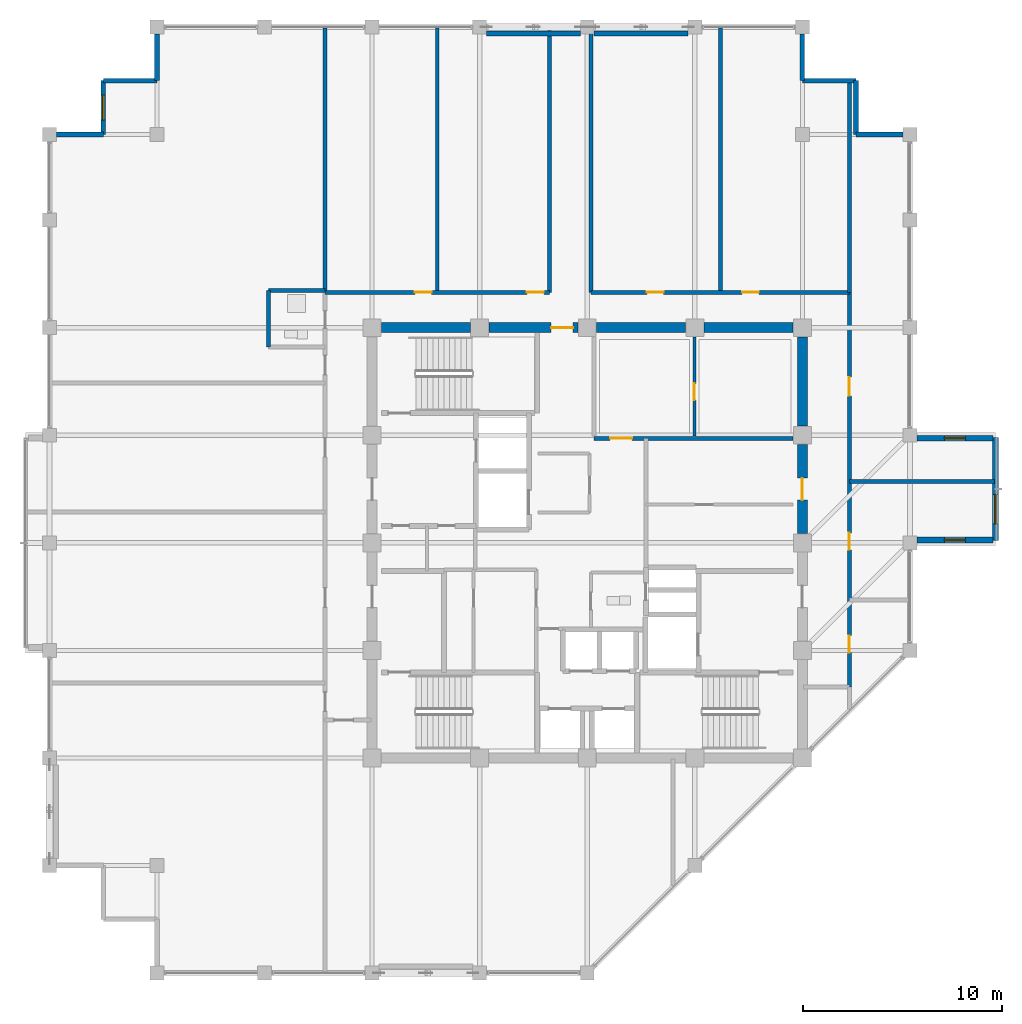
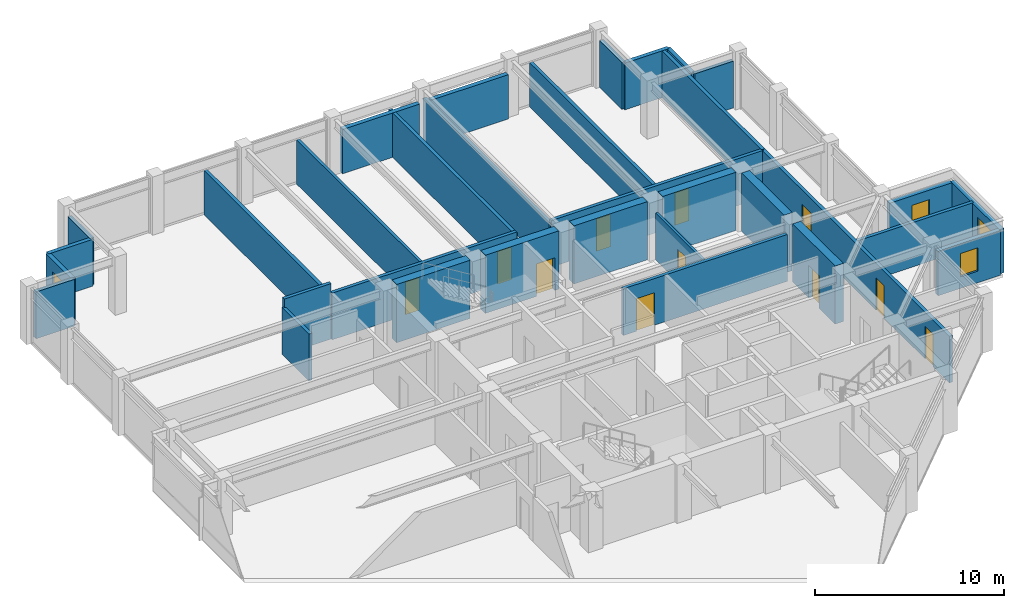
# One storey, part 28 of 32: 33 walls, 11 doors, 4 windows, 15 openings.
"""IFC4 building model written with IfcOpenShell, lengths in metres."""

from ifc_helpers import new_model, si_unit, direction, frame, frame_2d, origin, place, context, subcontext, project, spatial, rectangle, extrude, material, layer, layer_set, type_object, element, fill, save


model = new_model("IFC4")

# Units and contexts
model_context = context("Model", 3, precision=1e-05, world=origin(), true_north=direction((0.0, 1.0)))
body_context = subcontext(model_context, "Body", "Model", "MODEL_VIEW")
ifc_project = project(units=[si_unit("LENGTHUNIT", "METRE"), si_unit("AREAUNIT", "SQUARE_METRE"), si_unit("VOLUMEUNIT", "CUBIC_METRE"), si_unit("PLANEANGLEUNIT", "RADIAN"), si_unit("MASSUNIT", "GRAM", prefix="KILO")], contexts=[model_context])

# Site, building, storey
site_placement = place(None, origin())
site = spatial("IfcSite", under=ifc_project, at=site_placement, CompositionType="ELEMENT")
building_placement = place(site_placement, origin())
building = spatial("IfcBuilding", under=site, at=building_placement, Name="Surkhivell Harbour Commons", CompositionType="ELEMENT")
storey_placement = place(building_placement, frame((0.0, 0.0, 311.25)))
storey = spatial("IfcBuildingStorey", under=building, at=storey_placement, Name="L81", CompositionType="ELEMENT", Elevation=311.25)

# Wall
ifc_material_1 = material(Name="Concrete C50/60", Category="concrete")
ifc_layer_1 = layer(ifc_material_1, 0.5)
ifc_layer_set_1 = layer_set([ifc_layer_1], Name="Concrete C50/60")
wall_type_1 = type_object("IfcWallType", Name="WAL-CORE-500", PredefinedType="SHEAR", material=ifc_layer_set_1)
wall_1_placement = place(storey_placement, frame((-10.340087890625, 10.800048828125, 0.0), z_axis=(0.0, 0.0, 1.0), x_axis=(1.0, 0.0, 0.0)))
element("IfcWall", 1, at=wall_1_placement, inside=storey, type_object=wall_type_1, Name="L81 Core Shear Wall North 1", PredefinedType="SHEAR", context=body_context, shape_type="SweptSolid", body=[
    extrude(rectangle(XDim=4.47998046875, YDim=0.5, at=frame_2d((2.239990234375, 0.0))), origin(), (0.0, 0.0, 1.0), 3.75),
])

# Wall, opening, door
wall_2_placement = place(storey_placement, frame((-4.93994140625, 10.800048828125, 0.0), z_axis=(0.0, 0.0, 1.0), x_axis=(1.0, 0.0, 0.0)))
wall_2 = element("IfcWall", 2, at=wall_2_placement, inside=storey, type_object=wall_type_1, Name="L81 Core Shear Wall North 2", PredefinedType="SHEAR", context=body_context, shape_type="SweptSolid", body=[
    extrude(rectangle(XDim=4.47998046875, YDim=0.5, at=frame_2d((2.239990234375, 0.0))), origin(), (0.0, 0.0, 1.0), 3.75),
])
opening_1_placement = place(wall_2_placement, frame((3.1298828125, 0.0, 0.0)))
opening_1 = element("IfcOpeningElement", 3, at=opening_1_placement, cuts=wall_2, Name="Opening ID-2", PredefinedType="OPENING", context=body_context, shape_type="SweptSolid", body=[
    extrude(rectangle(XDim=1.10009765625, YDim=2.10009765625, at=frame_2d((0.550048828125, 1.050048828125))), frame((0.0, 0.260009765625, 0.0), z_axis=(0.0, -1.0, 0.0), x_axis=(1.0, 0.0, 0.0)), (0.0, 0.0, 1.0), 0.52001953125),
])
ifc_material_2 = material(Name="Hardwood-veneered fire-rated door leaf", Category="wood")
door_type_1 = type_object("IfcDoorType", Name="DOR-FD60-1100", OperationType="NOTDEFINED", PredefinedType="DOOR", material=ifc_material_2)
door_1_placement = place(opening_1_placement, origin())
door_1 = element("IfcDoor", 4, at=door_1_placement, inside=storey, type_object=door_type_1, Name="L81 Central Core Lift Hall North Corridor Door", OperationType="SINGLE_SWING_LEFT", OverallHeight=2.10009765625, OverallWidth=1.10009765625, PredefinedType="DOOR", context=body_context, shape_type="SweptSolid", body=[
    extrude(rectangle(XDim=1.10009765625, YDim=2.10009765625, at=frame_2d((0.550048828125, 1.050048828125))), frame((0.0, 0.02490234375, 0.0), z_axis=(0.0, -1.0, 0.0), x_axis=(1.0, 0.0, 0.0)), (0.0, 0.0, 1.0), 0.050048828125),
])
fill(opening_1, door_1)

# Wall
wall_3_placement = place(storey_placement, frame((0.4599609375, 10.800048828125, 0.0), z_axis=(0.0, 0.0, 1.0), x_axis=(1.0, 0.0, 0.0)))
element("IfcWall", 5, at=wall_3_placement, inside=storey, type_object=wall_type_1, Name="L81 Core Shear Wall North 3", PredefinedType="SHEAR", context=body_context, shape_type="SweptSolid", body=[
    extrude(rectangle(XDim=4.47998046875, YDim=0.5, at=frame_2d((2.239990234375, 0.0))), origin(), (0.0, 0.0, 1.0), 3.75),
])

# Wall, opening, door
wall_4_placement = place(storey_placement, frame((10.800048828125, 0.4599609375, 0.0), z_axis=(0.0, 0.0, 1.0), x_axis=(0.0, 1.0, 0.0)))
wall_4 = element("IfcWall", 6, at=wall_4_placement, inside=storey, type_object=wall_type_1, Name="L81 Core Shear Wall East 3", PredefinedType="SHEAR", context=body_context, shape_type="SweptSolid", body=[
    extrude(rectangle(XDim=4.47998046875, YDim=0.5, at=frame_2d((2.239990234375, 0.0))), origin(), (0.0, 0.0, 1.0), 3.75),
])
opening_2_placement = place(wall_4_placement, frame((1.68994140625, 0.0, 0.0)))
opening_2 = element("IfcOpeningElement", 7, at=opening_2_placement, cuts=wall_4, Name="Opening ID-2", PredefinedType="OPENING", context=body_context, shape_type="SweptSolid", body=[
    extrude(rectangle(XDim=1.10009765625, YDim=2.10009765625, at=frame_2d((0.550048828125, 1.050048828125))), frame((0.0, 0.260009765625, 0.0), z_axis=(0.0, -1.0, 0.0), x_axis=(1.0, 0.0, 0.0)), (0.0, 0.0, 1.0), 0.52001953125),
])
door_2_placement = place(opening_2_placement, origin())
door_2 = element("IfcDoor", 8, at=door_2_placement, inside=storey, type_object=door_type_1, Name="L81 Media Lounge East Door", OperationType="SINGLE_SWING_RIGHT", OverallHeight=2.10009765625, OverallWidth=1.10009765625, PredefinedType="DOOR", context=body_context, shape_type="SweptSolid", body=[
    extrude(rectangle(XDim=1.10009765625, YDim=2.10009765625, at=frame_2d((0.550048828125, 1.050048828125))), frame((0.0, 0.02490234375, 0.0), z_axis=(0.0, -1.0, 0.0), x_axis=(1.0, 0.0, 0.0)), (0.0, 0.0, 1.0), 0.050048828125),
])
fill(opening_2, door_2)

# Walls
for number, where, z_axis, x_axis, name in (
    (9, (5.860107421875, 10.800048828125, 0.0), (0.0, 0.0, 1.0), (1.0, 0.0, 0.0), "L81 Core Shear Wall North 4"),
    (10, (10.800048828125, 5.860107421875, 0.0), (0.0, 0.0, 1.0), (0.0, 1.0, 0.0), "L81 Core Shear Wall East 4"),
):
    element("IfcWall", number, at=place(storey_placement, frame(where, z_axis=z_axis, x_axis=x_axis)), inside=storey, type_object=wall_type_1, Name=name, PredefinedType="SHEAR", context=body_context, shape_type="SweptSolid", body=[
        extrude(rectangle(XDim=4.47998046875, YDim=0.5, at=frame_2d((2.239990234375, 0.0))), origin(), (0.0, 0.0, 1.0), 3.75),
    ])
ifc_material_3 = material(Name="Pale-metal insulated precast concrete C45/55", Category="concrete")
ifc_layer_2 = layer(ifc_material_3, 0.260009765625)
ifc_layer_set_2 = layer_set([ifc_layer_2], Name="Pale-metal insulated precast concrete C45/55")
wall_type_2 = type_object("IfcWallType", Name="WAL-EXT-MTL260", PredefinedType="STANDARD", material=ifc_layer_set_2)
for number, where, z_axis, x_axis, name in (
    (11, (-0.347900390625, 25.56494140625, 0.0), (0.0, 0.0, 1.0), (-1.0, 0.0, 0.0), "L81 Braced-Bay Insulated Spandrel Backing N"),
    (12, (5.052001953125, 25.56494140625, 0.0), (0.0, 0.0, 1.0), (-1.0, 0.0, 0.0), "L81 Braced-Bay Insulated Spandrel Backing N2"),
):
    element("IfcWall", number, at=place(storey_placement, frame(where, z_axis=z_axis, x_axis=x_axis)), inside=storey, type_object=wall_type_2, Name=name, PredefinedType="STANDARD", context=body_context, shape_type="SweptSolid", body=[
        extrude(rectangle(XDim=4.7041015625, YDim=0.260009765625, at=frame_2d((2.35205078125, 0.0))), origin(), (0.0, 0.0, 1.0), 2.85693359375),
    ])
ifc_material_4 = material(Name="Bronze-ochre cassette precast concrete C45/55", Category="concrete")
ifc_layer_3 = layer(ifc_material_4, 0.239990234375)
ifc_layer_set_3 = layer_set([ifc_layer_3], Name="Bronze-ochre cassette precast concrete C45/55")
wall_type_3 = type_object("IfcWallType", Name="WAL-EXT-OCH240", PredefinedType="STANDARD", material=ifc_layer_set_3)
wall_5_placement = place(storey_placement, frame((15.85205078125, 20.5, 0.0), z_axis=(0.0, 0.0, 1.0), x_axis=(-1.0, 0.0, 0.0)))
element("IfcWall", 13, at=wall_5_placement, inside=storey, type_object=wall_type_3, Name="L81 Serrated Corner Facade Wall 03", PredefinedType="STANDARD", context=body_context, shape_type="SweptSolid", body=[
    extrude(rectangle(XDim=2.35205078125, YDim=0.239990234375, at=frame_2d((1.176025390625, 0.0))), origin(), (0.0, 0.0, 1.0), 3.012939453125),
])
for number, where, z_axis, x_axis, name in (
    (14, (13.5, 20.5, 0.0), (0.0, 0.0, 1.0), (0.0, 1.0, 0.0), "L81 Serrated Corner Facade Wall 04"),
    (15, (13.5, 23.199951171875, 0.0), (0.0, 0.0, 1.0), (-1.0, 0.0, 0.0), "L81 Serrated Corner Facade Wall 05"),
):
    element("IfcWall", number, at=place(storey_placement, frame(where, z_axis=z_axis, x_axis=x_axis)), inside=storey, type_object=wall_type_3, Name=name, PredefinedType="STANDARD", context=body_context, shape_type="SweptSolid", body=[
        extrude(rectangle(XDim=2.699951171875, YDim=0.239990234375, at=frame_2d((1.35009765625, 0.0))), origin(), (0.0, 0.0, 1.0), 3.012939453125),
    ])
for number, where, z_axis, x_axis, name in (
    (16, (10.800048828125, 23.199951171875, 0.0), (0.0, 0.0, 1.0), (0.0, 1.0, 0.0), "L81 Serrated Corner Facade Wall 06"),
    (17, (-21.60009765625, 25.552001953125, 0.0), (0.0, 0.0, 1.0), (0.0, -1.0, 0.0), "L81 Serrated Corner Facade Wall 08"),
):
    element("IfcWall", number, at=place(storey_placement, frame(where, z_axis=z_axis, x_axis=x_axis)), inside=storey, type_object=wall_type_3, Name=name, PredefinedType="STANDARD", context=body_context, shape_type="SweptSolid", body=[
        extrude(rectangle(XDim=2.35205078125, YDim=0.239990234375, at=frame_2d((1.176025390625, 0.0))), origin(), (0.0, 0.0, 1.0), 3.012939453125),
    ])
wall_6_placement = place(storey_placement, frame((-21.60009765625, 23.199951171875, 0.0), z_axis=(0.0, 0.0, 1.0), x_axis=(-1.0, 0.0, 0.0)))
element("IfcWall", 18, at=wall_6_placement, inside=storey, type_object=wall_type_3, Name="L81 Serrated Corner Facade Wall 09", PredefinedType="STANDARD", context=body_context, shape_type="SweptSolid", body=[
    extrude(rectangle(XDim=2.699951171875, YDim=0.239990234375, at=frame_2d((1.35009765625, 0.0))), origin(), (0.0, 0.0, 1.0), 3.012939453125),
])

# Wall, opening, window
wall_7_placement = place(storey_placement, frame((-24.300048828125, 23.199951171875, 0.0), z_axis=(0.0, 0.0, 1.0), x_axis=(0.0, -1.0, 0.0)))
wall_7 = element("IfcWall", 19, at=wall_7_placement, inside=storey, type_object=wall_type_3, Name="L81 Serrated Corner Facade Wall 10", PredefinedType="STANDARD", context=body_context, shape_type="SweptSolid", body=[
    extrude(rectangle(XDim=2.699951171875, YDim=0.239990234375, at=frame_2d((1.35009765625, 0.0))), origin(), (0.0, 0.0, 1.0), 3.012939453125),
])
opening_3_placement = place(wall_7_placement, frame((0.72509765625, 0.0, 0.64990234375)))
opening_3 = element("IfcOpeningElement", 20, at=opening_3_placement, cuts=wall_7, Name="Opening WN-09", PredefinedType="OPENING", context=body_context, shape_type="SweptSolid", body=[
    extrude(rectangle(XDim=1.25, YDim=1.60009765625, at=frame_2d((0.625, 0.800048828125))), frame((0.0, 0.1298828125, 0.0), z_axis=(0.0, -1.0, 0.0), x_axis=(1.0, 0.0, 0.0)), (0.0, 0.0, 1.0), 0.260009765625),
])
ifc_material_5 = material(Name="Thermal-break aluminium frame and double low-E glazing", Category="aluminium")
window_type_1 = type_object("IfcWindowType", Name="WIN-SER-1250x1600", PartitioningType="SINGLE_PANEL", PredefinedType="WINDOW", material=ifc_material_5)
window_1_placement = place(opening_3_placement, origin())
window_1 = element("IfcWindow", 21, at=window_1_placement, inside=storey, type_object=window_type_1, Name="L81 Serrated Alcove Window 10", OverallHeight=1.60009765625, OverallWidth=1.25, PartitioningType="SINGLE_PANEL", PredefinedType="WINDOW", context=body_context, shape_type="SweptSolid", body=[
    extrude(rectangle(XDim=1.25, YDim=1.60009765625, at=frame_2d((0.625, 0.800048828125))), frame((0.0, 0.030029296875, 0.0), z_axis=(0.0, -1.0, 0.0), x_axis=(1.0, 0.0, 0.0)), (0.0, 0.0, 1.0), 0.06005859375),
])
fill(opening_3, window_1)

# Wall
wall_8_placement = place(storey_placement, frame((-24.300048828125, 20.5, 0.0), z_axis=(0.0, 0.0, 1.0), x_axis=(-1.0, 0.0, 0.0)))
element("IfcWall", 22, at=wall_8_placement, inside=storey, type_object=wall_type_3, Name="L81 Serrated Corner Facade Wall 11", PredefinedType="STANDARD", context=body_context, shape_type="SweptSolid", body=[
    extrude(rectangle(XDim=2.35205078125, YDim=0.239990234375, at=frame_2d((1.176025390625, 0.0))), origin(), (0.0, 0.0, 1.0), 3.012939453125),
])

# Wall, opening, window
ifc_material_6 = material(Name="Terracotta-clad reinforced concrete C45/55", Category="masonry")
ifc_layer_4 = layer(ifc_material_6, 0.280029296875)
ifc_layer_set_4 = layer_set([ifc_layer_4], Name="Terracotta-clad reinforced concrete C45/55")
wall_type_4 = type_object("IfcWallType", Name="WAL-EXT-TER280", PredefinedType="STANDARD", material=ifc_layer_set_4)
wall_9_placement = place(storey_placement, frame((20.5, 0.1201171875, 0.0), z_axis=(0.0, 0.0, 1.0), x_axis=(0.0, 1.0, 0.0)))
wall_9 = element("IfcWall", 23, at=wall_9_placement, inside=storey, type_object=wall_type_4, Name="L81 Coloured Box Front Wall 01", PredefinedType="STANDARD", context=body_context, shape_type="SweptSolid", body=[
    extrude(rectangle(XDim=5.159912109375, YDim=0.280029296875, at=frame_2d((2.580078125, 0.0))), origin(), (0.0, 0.0, 1.0), 2.85693359375),
])
opening_4_placement = place(wall_9_placement, frame((0.81494140625, 0.0, 0.75)))
opening_4 = element("IfcOpeningElement", 24, at=opening_4_placement, cuts=wall_9, Name="Opening WN-13", PredefinedType="OPENING", context=body_context, shape_type="SweptSolid", body=[
    extrude(rectangle(XDim=1.5, YDim=1.5, at=frame_2d((0.75, 0.75))), frame((0.0, 0.14990234375, 0.0), z_axis=(0.0, -1.0, 0.0), x_axis=(1.0, 0.0, 0.0)), (0.0, 0.0, 1.0), 0.300048828125),
])
window_type_2 = type_object("IfcWindowType", Name="WIN-BOX-1500x1500", PartitioningType="SINGLE_PANEL", PredefinedType="WINDOW", material=ifc_material_5)
window_2_placement = place(opening_4_placement, origin())
window_2 = element("IfcWindow", 25, at=window_2_placement, inside=storey, type_object=window_type_2, Name="L81 Coloured Box Square Window 01-1", OverallHeight=1.5, OverallWidth=1.5, PartitioningType="SINGLE_PANEL", PredefinedType="WINDOW", context=body_context, shape_type="SweptSolid", body=[
    extrude(rectangle(XDim=1.5, YDim=1.5, at=frame_2d((0.75, 0.75))), frame((0.0, 0.030029296875, 0.0), z_axis=(0.0, -1.0, 0.0), x_axis=(1.0, 0.0, 0.0)), (0.0, 0.0, 1.0), 0.06005859375),
])
fill(opening_4, window_2)

wall_10_placement = place(storey_placement, frame((16.553955078125, 0.139892578125, 0.0), z_axis=(0.0, 0.0, 1.0), x_axis=(1.0, 0.0, 0.0)))
wall_10 = element("IfcWall", 26, at=wall_10_placement, inside=storey, type_object=wall_type_4, Name="L81 Coloured Box Return Wall 01S", PredefinedType="STANDARD", context=body_context, shape_type="SweptSolid", body=[
    extrude(rectangle(XDim=3.80615234375, YDim=0.280029296875, at=frame_2d((1.903076171875, 0.0))), origin(), (0.0, 0.0, 1.0), 2.85693359375),
])
opening_5_placement = place(wall_10_placement, frame((1.3779296875, 0.0, 0.75)))
opening_5 = element("IfcOpeningElement", 27, at=opening_5_placement, cuts=wall_10, Name="Opening WN-11", PredefinedType="OPENING", context=body_context, shape_type="SweptSolid", body=[
    extrude(rectangle(XDim=1.050048828125, YDim=1.5, at=frame_2d((0.52490234375, 0.75))), frame((0.0, 0.14990234375, 0.0), z_axis=(0.0, -1.0, 0.0), x_axis=(1.0, 0.0, 0.0)), (0.0, 0.0, 1.0), 0.300048828125),
])
window_type_3 = type_object("IfcWindowType", Name="WIN-SER-1050x1500", PartitioningType="SINGLE_PANEL", PredefinedType="WINDOW", material=ifc_material_5)
window_3_placement = place(opening_5_placement, origin())
window_3 = element("IfcWindow", 28, at=window_3_placement, inside=storey, type_object=window_type_3, Name="L81 Coloured Box Return Window 01S", OverallHeight=1.5, OverallWidth=1.050048828125, PartitioningType="SINGLE_PANEL", PredefinedType="WINDOW", context=body_context, shape_type="SweptSolid", body=[
    extrude(rectangle(XDim=1.050048828125, YDim=1.5, at=frame_2d((0.52490234375, 0.75))), frame((0.0, 0.030029296875, 0.0), z_axis=(0.0, -1.0, 0.0), x_axis=(1.0, 0.0, 0.0)), (0.0, 0.0, 1.0), 0.06005859375),
])
fill(opening_5, window_3)

wall_11_placement = place(storey_placement, frame((16.553955078125, 5.260009765625, 0.0), z_axis=(0.0, 0.0, 1.0), x_axis=(1.0, 0.0, 0.0)))
wall_11 = element("IfcWall", 29, at=wall_11_placement, inside=storey, type_object=wall_type_4, Name="L81 Coloured Box Return Wall 01N", PredefinedType="STANDARD", context=body_context, shape_type="SweptSolid", body=[
    extrude(rectangle(XDim=3.80615234375, YDim=0.280029296875, at=frame_2d((1.903076171875, 0.0))), origin(), (0.0, 0.0, 1.0), 2.85693359375),
])
opening_6_placement = place(wall_11_placement, frame((1.3779296875, 0.0, 0.75)))
opening_6 = element("IfcOpeningElement", 30, at=opening_6_placement, cuts=wall_11, Name="Opening WN-11", PredefinedType="OPENING", context=body_context, shape_type="SweptSolid", body=[
    extrude(rectangle(XDim=1.050048828125, YDim=1.5, at=frame_2d((0.52490234375, 0.75))), frame((0.0, 0.14990234375, 0.0), z_axis=(0.0, -1.0, 0.0), x_axis=(1.0, 0.0, 0.0)), (0.0, 0.0, 1.0), 0.300048828125),
])
window_4_placement = place(opening_6_placement, origin())
window_4 = element("IfcWindow", 31, at=window_4_placement, inside=storey, type_object=window_type_3, Name="L81 Coloured Box Return Window 01N", OverallHeight=1.5, OverallWidth=1.050048828125, PartitioningType="SINGLE_PANEL", PredefinedType="WINDOW", context=body_context, shape_type="SweptSolid", body=[
    extrude(rectangle(XDim=1.050048828125, YDim=1.5, at=frame_2d((0.52490234375, 0.75))), frame((0.0, 0.030029296875, 0.0), z_axis=(0.0, -1.0, 0.0), x_axis=(1.0, 0.0, 0.0)), (0.0, 0.0, 1.0), 0.06005859375),
])
fill(opening_6, window_4)

# Wall, opening, door
ifc_material_7 = material(Name="Twin-stud acoustic fireboard partition", Category="other")
ifc_layer_5 = layer(ifc_material_7, 0.14990234375)
ifc_layer_set_5 = layer_set([ifc_layer_5], Name="Twin-stud acoustic fireboard partition")
wall_type_5 = type_object("IfcWallType", Name="WAL-INT-150", PredefinedType="PARTITIONING", material=ifc_layer_set_5)
wall_12_placement = place(storey_placement, frame((5.3798828125, 5.360107421875, 0.0), z_axis=(0.0, 0.0, 1.0), x_axis=(0.0, 1.0, 0.0)))
wall_12 = element("IfcWall", 32, at=wall_12_placement, inside=storey, type_object=wall_type_5, Name="L81 Core Library Divider", PredefinedType="PARTITIONING", context=body_context, shape_type="SweptSolid", body=[
    extrude(rectangle(XDim=4.97998046875, YDim=0.14990234375, at=frame_2d((2.489990234375, 0.0))), origin(), (0.0, 0.0, 1.0), 3.012939453125),
])
opening_7_placement = place(wall_12_placement, frame((1.800048828125, 0.0, 0.0)))
opening_7 = element("IfcOpeningElement", 33, at=opening_7_placement, cuts=wall_12, Name="Opening ID-6", PredefinedType="OPENING", context=body_context, shape_type="SweptSolid", body=[
    extrude(rectangle(XDim=0.85009765625, YDim=2.10009765625, at=frame_2d((0.425048828125, 1.050048828125))), frame((0.0, 0.0849609375, 0.0), z_axis=(0.0, -1.0, 0.0), x_axis=(1.0, 0.0, 0.0)), (0.0, 0.0, 1.0), 0.169921875),
])
door_type_2 = type_object("IfcDoorType", Name="DOR-FD30-850", OperationType="NOTDEFINED", PredefinedType="DOOR", material=ifc_material_2)
door_3_placement = place(opening_7_placement, origin())
door_3 = element("IfcDoor", 34, at=door_3_placement, inside=storey, type_object=door_type_2, Name="L81 Core Reading Door", OperationType="SINGLE_SWING_RIGHT", OverallHeight=2.10009765625, OverallWidth=0.85009765625, PredefinedType="DOOR", context=body_context, shape_type="SweptSolid", body=[
    extrude(rectangle(XDim=0.85009765625, YDim=2.10009765625, at=frame_2d((0.425048828125, 1.050048828125))), frame((0.0, 0.02490234375, 0.0), z_axis=(0.0, -1.0, 0.0), x_axis=(1.0, 0.0, 0.0)), (0.0, 0.0, 1.0), 0.050048828125),
])
fill(opening_7, door_3)

# Wall
ifc_material_8 = material(Name="High-density acoustic blockwork fire partition", Category="masonry")
ifc_layer_6 = layer(ifc_material_8, 0.175048828125)
ifc_layer_set_6 = layer_set([ifc_layer_6], Name="High-density acoustic blockwork fire partition")
wall_type_6 = type_object("IfcWallType", Name="WAL-INT-175", PredefinedType="PARTITIONING", material=ifc_layer_set_6)
wall_13_placement = place(storey_placement, frame((-7.530029296875, 12.580078125, 0.0), z_axis=(0.0, 0.0, 1.0), x_axis=(0.0, 1.0, 0.0)))
element("IfcWall", 35, at=wall_13_placement, inside=storey, type_object=wall_type_6, Name="L81 North-West Partition P1", PredefinedType="PARTITIONING", context=body_context, shape_type="SweptSolid", body=[
    extrude(rectangle(XDim=13.260009765625, YDim=0.175048828125, at=frame_2d((6.6298828125, 0.0))), origin(), (0.0, 0.0, 1.0), 2.85693359375),
])

# Wall, opening, door
ifc_material_9 = material(Name="Autoclaved aerated concrete blockwork and fire plaster", Category="masonry")
ifc_layer_7 = layer(ifc_material_9, 0.199951171875)
ifc_layer_set_7 = layer_set([ifc_layer_7], Name="Autoclaved aerated concrete blockwork and fire plaster")
wall_type_7 = type_object("IfcWallType", Name="WAL-INT-200", PredefinedType="PARTITIONING", material=ifc_layer_set_7)
wall_14_placement = place(storey_placement, frame((0.35009765625, 5.239990234375, 0.0), z_axis=(0.0, 0.0, 1.0), x_axis=(1.0, 0.0, 0.0)))
wall_14 = element("IfcWall", 36, at=wall_14_placement, inside=storey, type_object=wall_type_7, Name="L81 Reclaimed Core North Bay South Wall", PredefinedType="PARTITIONING", context=body_context, shape_type="SweptSolid", body=[
    extrude(rectangle(XDim=9.989990234375, YDim=0.199951171875, at=frame_2d((4.9951171875, 0.0))), origin(), (0.0, 0.0, 1.0), 3.012939453125),
])
opening_8_placement = place(wall_14_placement, frame((0.800048828125, 0.0, 0.0)))
opening_8 = element("IfcOpeningElement", 37, at=opening_8_placement, cuts=wall_14, Name="Opening ID-2", PredefinedType="OPENING", context=body_context, shape_type="SweptSolid", body=[
    extrude(rectangle(XDim=1.10009765625, YDim=2.10009765625, at=frame_2d((0.550048828125, 1.050048828125))), frame((0.0, 0.10986328125, 0.0), z_axis=(0.0, -1.0, 0.0), x_axis=(1.0, 0.0, 0.0)), (0.0, 0.0, 1.0), 0.219970703125),
])
door_4_placement = place(opening_8_placement, origin())
door_4 = element("IfcDoor", 38, at=door_4_placement, inside=storey, type_object=door_type_1, Name="L81 Core Study Door", OperationType="SINGLE_SWING_LEFT", OverallHeight=2.10009765625, OverallWidth=1.10009765625, PredefinedType="DOOR", context=body_context, shape_type="SweptSolid", body=[
    extrude(rectangle(XDim=1.10009765625, YDim=2.10009765625, at=frame_2d((0.550048828125, 1.050048828125))), frame((0.0, 0.02490234375, 0.0), z_axis=(0.0, -1.0, 0.0), x_axis=(1.0, 0.0, 0.0)), (0.0, 0.0, 1.0), 0.050048828125),
])
fill(opening_8, door_4)

# Walls
wall_15_placement = place(storey_placement, frame((13.159912109375, 12.580078125, 0.0), z_axis=(0.0, 0.0, 1.0), x_axis=(0.0, 1.0, 0.0)))
element("IfcWall", 39, at=wall_15_placement, inside=storey, type_object=wall_type_7, Name="L81 North-East Corner Wall", PredefinedType="PARTITIONING", context=body_context, shape_type="SweptSolid", body=[
    extrude(rectangle(XDim=10.559814453125, YDim=0.199951171875, at=frame_2d((5.27978515625, 0.0))), origin(), (0.0, 0.0, 1.0), 3.012939453125),
])
wall_16_placement = place(storey_placement, frame((-13.159912109375, 12.580078125, 0.0), z_axis=(0.0, 0.0, 1.0), x_axis=(0.0, 1.0, 0.0)))
element("IfcWall", 40, at=wall_16_placement, inside=storey, type_object=wall_type_7, Name="L81 North-West Corner Wall", PredefinedType="PARTITIONING", context=body_context, shape_type="SweptSolid", body=[
    extrude(rectangle(XDim=13.260009765625, YDim=0.199951171875, at=frame_2d((6.6298828125, 0.0))), origin(), (0.0, 0.0, 1.0), 2.85693359375),
])

# Wall, openings, doors
wall_17_placement = place(storey_placement, frame((13.159912109375, -7.239990234375, 0.0), z_axis=(0.0, 0.0, 1.0), x_axis=(0.0, 1.0, 0.0)))
wall_17 = element("IfcWall", 41, at=wall_17_placement, inside=storey, type_object=wall_type_7, Name="L81 East Corridor Wall", PredefinedType="PARTITIONING", context=body_context, shape_type="SweptSolid", body=[
    extrude(rectangle(XDim=19.820068359375, YDim=0.199951171875, at=frame_2d((9.91015625, 0.0))), origin(), (0.0, 0.0, 1.0), 3.012939453125),
])
opening_9_placement = place(wall_17_placement, frame((1.72998046875, 0.0, 0.0)))
opening_9 = element("IfcOpeningElement", 42, at=opening_9_placement, cuts=wall_17, Name="Opening ID-6", PredefinedType="OPENING", context=body_context, shape_type="SweptSolid", body=[
    extrude(rectangle(XDim=0.85009765625, YDim=2.10009765625, at=frame_2d((0.425048828125, 1.050048828125))), frame((0.0, 0.10986328125, 0.0), z_axis=(0.0, -1.0, 0.0), x_axis=(1.0, 0.0, 0.0)), (0.0, 0.0, 1.0), 0.219970703125),
])
opening_10_placement = place(wall_17_placement, frame((6.885009765625, 0.0, 0.0)))
opening_10 = element("IfcOpeningElement", 43, at=opening_10_placement, cuts=wall_17, Name="Opening ID-6", PredefinedType="OPENING", context=body_context, shape_type="SweptSolid", body=[
    extrude(rectangle(XDim=0.85009765625, YDim=2.10009765625, at=frame_2d((0.425048828125, 1.050048828125))), frame((0.0, 0.10986328125, 0.0), z_axis=(0.0, -1.0, 0.0), x_axis=(1.0, 0.0, 0.0)), (0.0, 0.0, 1.0), 0.219970703125),
])
opening_11_placement = place(wall_17_placement, frame((14.614990234375, 0.0, 0.0)))
opening_11 = element("IfcOpeningElement", 44, at=opening_11_placement, cuts=wall_17, Name="Opening ID-4", PredefinedType="OPENING", context=body_context, shape_type="SweptSolid", body=[
    extrude(rectangle(XDim=0.949951171875, YDim=2.10009765625, at=frame_2d((0.47509765625, 1.050048828125))), frame((0.0, 0.10986328125, 0.0), z_axis=(0.0, -1.0, 0.0), x_axis=(1.0, 0.0, 0.0)), (0.0, 0.0, 1.0), 0.219970703125),
])
door_5_placement = place(opening_9_placement, origin())
door_5 = element("IfcDoor", 45, at=door_5_placement, inside=storey, type_object=door_type_2, Name="L81 Co-Working Study Office 1 East Door", OperationType="SINGLE_SWING_RIGHT", OverallHeight=2.10009765625, OverallWidth=0.85009765625, PredefinedType="DOOR", context=body_context, shape_type="SweptSolid", body=[
    extrude(rectangle(XDim=0.85009765625, YDim=2.10009765625, at=frame_2d((0.425048828125, 1.050048828125))), frame((0.0, 0.02490234375, 0.0), z_axis=(0.0, -1.0, 0.0), x_axis=(1.0, 0.0, 0.0)), (0.0, 0.0, 1.0), 0.050048828125),
])
fill(opening_9, door_5)
door_6_placement = place(opening_10_placement, origin())
door_6 = element("IfcDoor", 46, at=door_6_placement, inside=storey, type_object=door_type_2, Name="L81 Co-Working Study Office 2 East Door", OperationType="SINGLE_SWING_LEFT", OverallHeight=2.10009765625, OverallWidth=0.85009765625, PredefinedType="DOOR", context=body_context, shape_type="SweptSolid", body=[
    extrude(rectangle(XDim=0.85009765625, YDim=2.10009765625, at=frame_2d((0.425048828125, 1.050048828125))), frame((0.0, 0.02490234375, 0.0), z_axis=(0.0, -1.0, 0.0), x_axis=(1.0, 0.0, 0.0)), (0.0, 0.0, 1.0), 0.050048828125),
])
fill(opening_10, door_6)
door_type_3 = type_object("IfcDoorType", Name="DOR-FD60-950", OperationType="NOTDEFINED", PredefinedType="DOOR", material=ifc_material_2)
door_7_placement = place(opening_11_placement, origin())
door_7 = element("IfcDoor", 47, at=door_7_placement, inside=storey, type_object=door_type_3, Name="L81 Co-Working Study Office 3 East Door", OperationType="SINGLE_SWING_RIGHT", OverallHeight=2.10009765625, OverallWidth=0.949951171875, PredefinedType="DOOR", context=body_context, shape_type="SweptSolid", body=[
    extrude(rectangle(XDim=0.949951171875, YDim=2.10009765625, at=frame_2d((0.47509765625, 1.050048828125))), frame((0.0, 0.02490234375, 0.0), z_axis=(0.0, -1.0, 0.0), x_axis=(1.0, 0.0, 0.0)), (0.0, 0.0, 1.0), 0.050048828125),
])
fill(opening_11, door_7)

wall_18_placement = place(storey_placement, frame((-13.159912109375, 12.580078125, 0.0), z_axis=(0.0, 0.0, 1.0), x_axis=(1.0, 0.0, 0.0)))
wall_18 = element("IfcWall", 48, at=wall_18_placement, inside=storey, type_object=wall_type_7, Name="L81 North-West Corridor Wall", PredefinedType="PARTITIONING", context=body_context, shape_type="SweptSolid", body=[
    extrude(rectangle(XDim=11.260009765625, YDim=0.199951171875, at=frame_2d((5.6298828125, 0.0))), origin(), (0.0, 0.0, 1.0), 3.012939453125),
])
opening_12_placement = place(wall_18_placement, frame((4.5, 0.0, 0.0)))
opening_12 = element("IfcOpeningElement", 49, at=opening_12_placement, cuts=wall_18, Name="Opening ID-6", PredefinedType="OPENING", context=body_context, shape_type="SweptSolid", body=[
    extrude(rectangle(XDim=0.85009765625, YDim=2.10009765625, at=frame_2d((0.425048828125, 1.050048828125))), frame((0.0, 0.10986328125, 0.0), z_axis=(0.0, -1.0, 0.0), x_axis=(1.0, 0.0, 0.0)), (0.0, 0.0, 1.0), 0.219970703125),
])
opening_13_placement = place(wall_18_placement, frame((10.1298828125, 0.0, 0.0)))
opening_13 = element("IfcOpeningElement", 50, at=opening_13_placement, cuts=wall_18, Name="Opening ID-6", PredefinedType="OPENING", context=body_context, shape_type="SweptSolid", body=[
    extrude(rectangle(XDim=0.85009765625, YDim=2.10009765625, at=frame_2d((0.425048828125, 1.050048828125))), frame((0.0, 0.10986328125, 0.0), z_axis=(0.0, -1.0, 0.0), x_axis=(1.0, 0.0, 0.0)), (0.0, 0.0, 1.0), 0.219970703125),
])
door_8_placement = place(opening_12_placement, origin())
door_8 = element("IfcDoor", 51, at=door_8_placement, inside=storey, type_object=door_type_2, Name="L81 Campus Co-Op Bookshop North-West Door", OperationType="SINGLE_SWING_RIGHT", OverallHeight=2.10009765625, OverallWidth=0.85009765625, PredefinedType="DOOR", context=body_context, shape_type="SweptSolid", body=[
    extrude(rectangle(XDim=0.85009765625, YDim=2.10009765625, at=frame_2d((0.425048828125, 1.050048828125))), frame((0.0, 0.02490234375, 0.0), z_axis=(0.0, -1.0, 0.0), x_axis=(1.0, 0.0, 0.0)), (0.0, 0.0, 1.0), 0.050048828125),
])
fill(opening_12, door_8)
door_9_placement = place(opening_13_placement, origin())
door_9 = element("IfcDoor", 52, at=door_9_placement, inside=storey, type_object=door_type_2, Name="L81 Harbour Espresso Cafe Shop North-West Door", OperationType="SINGLE_SWING_LEFT", OverallHeight=2.10009765625, OverallWidth=0.85009765625, PredefinedType="DOOR", context=body_context, shape_type="SweptSolid", body=[
    extrude(rectangle(XDim=0.85009765625, YDim=2.10009765625, at=frame_2d((0.425048828125, 1.050048828125))), frame((0.0, 0.02490234375, 0.0), z_axis=(0.0, -1.0, 0.0), x_axis=(1.0, 0.0, 0.0)), (0.0, 0.0, 1.0), 0.050048828125),
])
fill(opening_13, door_9)

wall_19_placement = place(storey_placement, frame((0.199951171875, 12.580078125, 0.0), z_axis=(0.0, 0.0, 1.0), x_axis=(1.0, 0.0, 0.0)))
wall_19 = element("IfcWall", 53, at=wall_19_placement, inside=storey, type_object=wall_type_7, Name="L81 North-East Corridor Wall", PredefinedType="PARTITIONING", context=body_context, shape_type="SweptSolid", body=[
    extrude(rectangle(XDim=12.9599609375, YDim=0.199951171875, at=frame_2d((6.47998046875, 0.0))), origin(), (0.0, 0.0, 1.0), 3.012939453125),
])
opening_14_placement = place(wall_19_placement, frame((2.7900390625, 0.0, 0.0)))
opening_14 = element("IfcOpeningElement", 54, at=opening_14_placement, cuts=wall_19, Name="Opening ID-6", PredefinedType="OPENING", context=body_context, shape_type="SweptSolid", body=[
    extrude(rectangle(XDim=0.85009765625, YDim=2.10009765625, at=frame_2d((0.425048828125, 1.050048828125))), frame((0.0, 0.10986328125, 0.0), z_axis=(0.0, -1.0, 0.0), x_axis=(1.0, 0.0, 0.0)), (0.0, 0.0, 1.0), 0.219970703125),
])
opening_15_placement = place(wall_19_placement, frame((7.5712890625, 0.0, 0.0)))
opening_15 = element("IfcOpeningElement", 55, at=opening_15_placement, cuts=wall_19, Name="Opening ID-6", PredefinedType="OPENING", context=body_context, shape_type="SweptSolid", body=[
    extrude(rectangle(XDim=0.85009765625, YDim=2.10009765625, at=frame_2d((0.425048828125, 1.050048828125))), frame((0.0, 0.10986328125, 0.0), z_axis=(0.0, -1.0, 0.0), x_axis=(1.0, 0.0, 0.0)), (0.0, 0.0, 1.0), 0.219970703125),
])
door_10_placement = place(opening_14_placement, origin())
door_10 = element("IfcDoor", 56, at=door_10_placement, inside=storey, type_object=door_type_2, Name="L81 Campus Co-Op Bookshop North-East Door", OperationType="SINGLE_SWING_RIGHT", OverallHeight=2.10009765625, OverallWidth=0.85009765625, PredefinedType="DOOR", context=body_context, shape_type="SweptSolid", body=[
    extrude(rectangle(XDim=0.85009765625, YDim=2.10009765625, at=frame_2d((0.425048828125, 1.050048828125))), frame((0.0, 0.02490234375, 0.0), z_axis=(0.0, -1.0, 0.0), x_axis=(1.0, 0.0, 0.0)), (0.0, 0.0, 1.0), 0.050048828125),
])
fill(opening_14, door_10)
door_11_placement = place(opening_15_placement, origin())
door_11 = element("IfcDoor", 57, at=door_11_placement, inside=storey, type_object=door_type_2, Name="L81 Harbour Espresso Cafe Shop North-East Door", OperationType="SINGLE_SWING_LEFT", OverallHeight=2.10009765625, OverallWidth=0.85009765625, PredefinedType="DOOR", context=body_context, shape_type="SweptSolid", body=[
    extrude(rectangle(XDim=0.85009765625, YDim=2.10009765625, at=frame_2d((0.425048828125, 1.050048828125))), frame((0.0, 0.02490234375, 0.0), z_axis=(0.0, -1.0, 0.0), x_axis=(1.0, 0.0, 0.0)), (0.0, 0.0, 1.0), 0.050048828125),
])
fill(opening_15, door_11)

# Walls
for number, where, z_axis, x_axis, name in (
    (58, (0.199951171875, 12.580078125, 0.0), (0.0, 0.0, 1.0), (0.0, 1.0, 0.0), "L81 North Spur East Wall"),
    (59, (-1.89990234375, 12.580078125, 0.0), (0.0, 0.0, 1.0), (0.0, 1.0, 0.0), "L81 North Spur West Wall"),
):
    element("IfcWall", number, at=place(storey_placement, frame(where, z_axis=z_axis, x_axis=x_axis)), inside=storey, type_object=wall_type_7, Name=name, PredefinedType="PARTITIONING", context=body_context, shape_type="SweptSolid", body=[
        extrude(rectangle(XDim=13.260009765625, YDim=0.199951171875, at=frame_2d((6.6298828125, 0.0))), origin(), (0.0, 0.0, 1.0), 2.85693359375),
    ])
wall_20_placement = place(storey_placement, frame((13.159912109375, 3.070068359375, 0.0), z_axis=(0.0, 0.0, 1.0), x_axis=(1.0, 0.0, 0.0)))
element("IfcWall", 60, at=wall_20_placement, inside=storey, type_object=wall_type_7, Name="L81 East Partition P2", PredefinedType="PARTITIONING", context=body_context, shape_type="SweptSolid", body=[
    extrude(rectangle(XDim=7.280029296875, YDim=0.199951171875, at=frame_2d((3.64013671875, 0.0))), origin(), (0.0, 0.0, 1.0), 2.85693359375),
])
wall_21_placement = place(storey_placement, frame((6.679931640625, 12.580078125, 0.0), z_axis=(0.0, 0.0, 1.0), x_axis=(0.0, 1.0, 0.0)))
element("IfcWall", 61, at=wall_21_placement, inside=storey, type_object=wall_type_7, Name="L81 North-East Partition P1", PredefinedType="PARTITIONING", context=body_context, shape_type="SweptSolid", body=[
    extrude(rectangle(XDim=13.260009765625, YDim=0.199951171875, at=frame_2d((6.6298828125, 0.0))), origin(), (0.0, 0.0, 1.0), 2.85693359375),
])
wall_22_placement = place(storey_placement, frame((-16.010009765625, 9.830078125, 0.0), z_axis=(0.0, 0.0, 1.0), x_axis=(0.0, 1.0, 0.0)))
element("IfcWall", 62, at=wall_22_placement, inside=storey, type_object=wall_type_7, Name="L81 West Partition BTHB", PredefinedType="PARTITIONING", context=body_context, shape_type="SweptSolid", body=[
    extrude(rectangle(XDim=2.849853515625, YDim=0.199951171875, at=frame_2d((1.4248046875, 0.0))), origin(), (0.0, 0.0, 1.0), 3.012939453125),
])
wall_23_placement = place(storey_placement, frame((-16.010009765625, 12.679931640625, 0.0), z_axis=(0.0, 0.0, 1.0), x_axis=(1.0, 0.0, 0.0)))
element("IfcWall", 63, at=wall_23_placement, inside=storey, type_object=wall_type_7, Name="L81 West Partition BTHN", PredefinedType="PARTITIONING", context=body_context, shape_type="SweptSolid", body=[
    extrude(rectangle(XDim=2.85009765625, YDim=0.199951171875, at=frame_2d((1.425048828125, 0.0))), origin(), (0.0, 0.0, 1.0), 3.570068359375),
])

save(model, "model.ifc")
